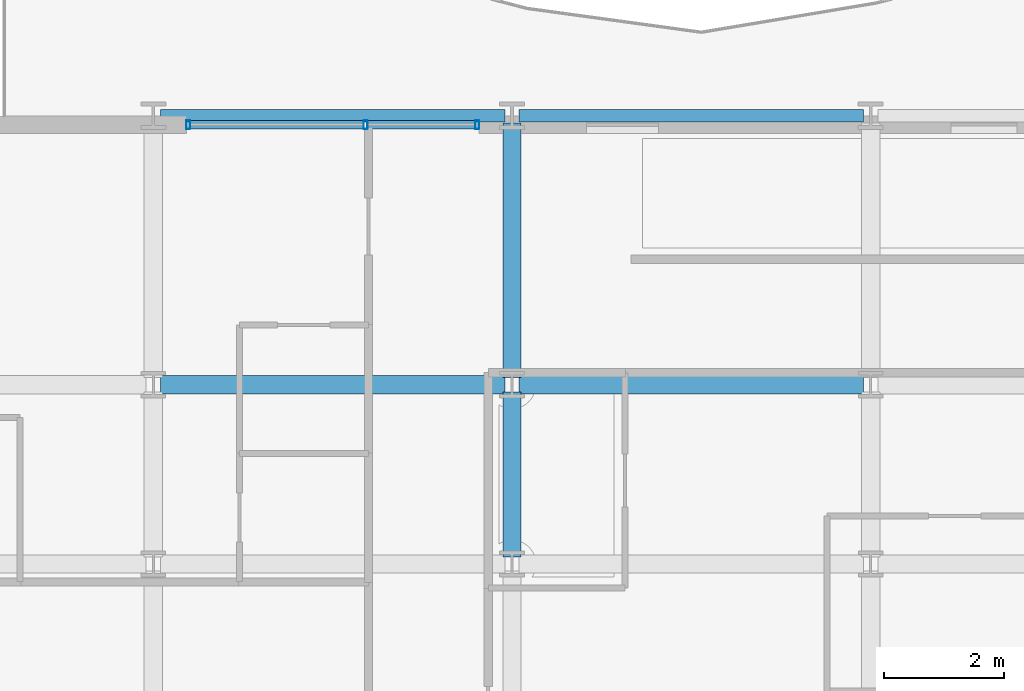
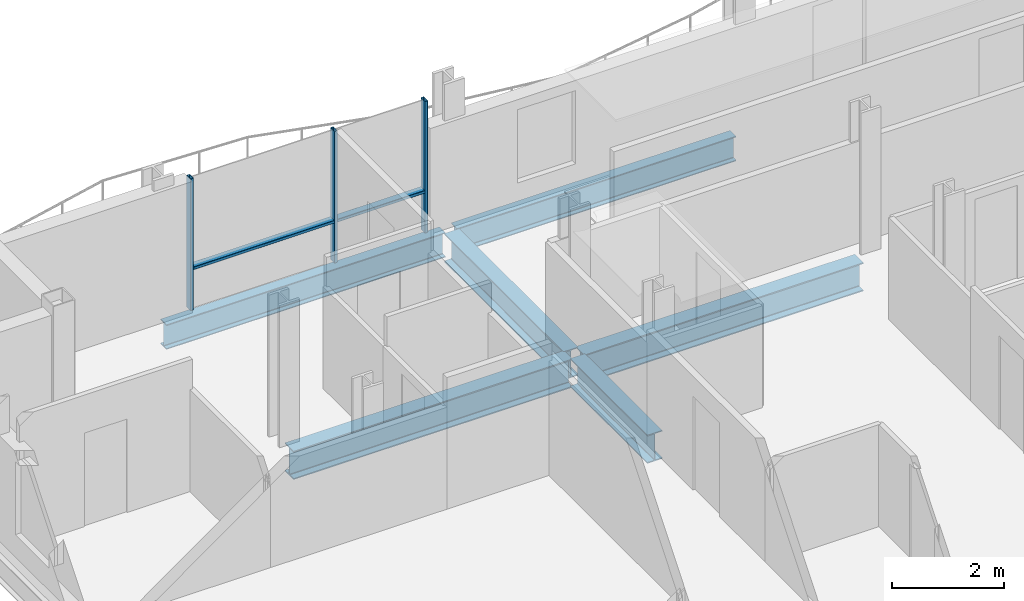
# One storey, part 7 of 38: 6 beams, 5 members, 1 element without a shape of its own.
"""IFC4 building model written with IfcOpenShell, lengths in metres."""

from ifc_helpers import new_model, si_unit, direction, frame, origin, origin_2d, place, context, subcontext, project, spatial, hollow_rectangle, i_section, extrude, material, layer, layer_set, material_profile, profile_set, type_object, element, aggregate, save


model = new_model("IFC4")

# Units and contexts
model_context = context("Model", 3, precision=1e-05, world=origin(), true_north=direction((0.0, 1.0)))
body_context = subcontext(model_context, "Body", "Model", "MODEL_VIEW")
ifc_project = project(units=[si_unit("LENGTHUNIT", "METRE"), si_unit("AREAUNIT", "SQUARE_METRE"), si_unit("VOLUMEUNIT", "CUBIC_METRE"), si_unit("PLANEANGLEUNIT", "RADIAN"), si_unit("MASSUNIT", "GRAM", prefix="KILO")], contexts=[model_context])

# Site, building, storey
site_placement = place(None, origin())
site = spatial("IfcSite", under=ifc_project, at=site_placement, CompositionType="ELEMENT")
building_placement = place(site_placement, origin())
building = spatial("IfcBuilding", under=site, at=building_placement, Name="Brevholm Reach", CompositionType="ELEMENT")
storey_placement = place(building_placement, frame((0.0, 0.0, 71.39990234375)))
storey = spatial("IfcBuildingStorey", under=building, at=storey_placement, Name="L20", CompositionType="ELEMENT", Elevation=71.39990234375)

# Beams
ifc_material_1 = material(Name="Structural Steel S355J2", Category="steel")
ifc_material_profile_1 = material_profile(ifc_material_1, i_section(OverallWidth=0.210693359375, OverallDepth=0.53955078125, WebThickness=0.01171875, FlangeThickness=0.018798828125, FilletRadius=0.0126953125, at=origin_2d()), Name="UKB 533x210x109")
ifc_profile_set_1 = profile_set([ifc_material_profile_1], Name="Structural Steel S355J2")
beam_type_1 = type_object("IfcBeamType", Name="BM-SP539", PredefinedType="SPANDREL", material=ifc_profile_set_1)
for number, where, z_axis, x_axis, name in (
    (1, (6.1201171875, 31.0, -0.499755859375), (1.0, 0.0, 0.0), (0.0, 1.0, 0.0), "L20 SP-01B Framing Beam"),
    (2, (12.1201171875, 31.0, -0.499755859375), (1.0, 0.0, 0.0), (0.0, 1.0, 0.0), "L20 SP-01B Framing Beam"),
):
    element("IfcBeam", number, at=place(storey_placement, frame(where, z_axis=z_axis, x_axis=x_axis)), inside=storey, type_object=beam_type_1, Name=name, PredefinedType="SPANDREL", context=body_context, shape_type="SweptSolid", body=[
        extrude(i_section(OverallWidth=0.210693359375, OverallDepth=0.53955078125, WebThickness=0.01171875, FlangeThickness=0.018798828125, FilletRadius=0.0126953125, at=origin_2d()), origin(), (0.0, 0.0, 1.0), 5.759765625),
    ])
ifc_material_2 = material(Name="Structural Steel S355J2", Category="steel")
ifc_material_profile_2 = material_profile(ifc_material_2, i_section(OverallWidth=0.30712890625, OverallDepth=0.6201171875, WebThickness=0.01416015625, FlangeThickness=0.023681640625, FilletRadius=0.0166015625, at=origin_2d()), Name="UKB 610x305x179")
ifc_profile_set_2 = profile_set([ifc_material_profile_2], Name="Structural Steel S355J2")
beam_type_2 = type_object("IfcBeamType", Name="BM-UKB610H", PredefinedType="USERDEFINED", material=ifc_profile_set_2)
for number, where, z_axis, x_axis, name in (
    (3, (6.1201171875, 26.5, -0.5400390625), (1.0, 0.0, 0.0), (0.0, 1.0, 0.0), "L20 G-06 Framing Beam"),
    (4, (12.1201171875, 26.5, -0.5400390625), (1.0, 0.0, 0.0), (0.0, 1.0, 0.0), "L20 G-06 Framing Beam"),
):
    element("IfcBeam", number, at=place(storey_placement, frame(where, z_axis=z_axis, x_axis=x_axis)), inside=storey, type_object=beam_type_2, Name=name, ObjectType="GIRDER", PredefinedType="USERDEFINED", context=body_context, shape_type="SweptSolid", body=[
        extrude(i_section(OverallWidth=0.30712890625, OverallDepth=0.6201171875, WebThickness=0.01416015625, FlangeThickness=0.023681640625, FilletRadius=0.0166015625, at=origin_2d()), origin(), (0.0, 0.0, 1.0), 5.759765625),
    ])
beam_1_placement = place(storey_placement, frame((12.0, 23.6201171875, -0.5400390625), z_axis=(0.0, 1.0, 0.0), x_axis=(-1.0, 0.0, 0.0)))
element("IfcBeam", 5, at=beam_1_placement, inside=storey, type_object=beam_type_2, Name="L20 G-06 Framing Beam", ObjectType="GIRDER", PredefinedType="USERDEFINED", context=body_context, shape_type="SweptSolid", body=[
    extrude(i_section(OverallWidth=0.30712890625, OverallDepth=0.6201171875, WebThickness=0.01416015625, FlangeThickness=0.023681640625, FilletRadius=0.0166015625, at=origin_2d()), origin(), (0.0, 0.0, 1.0), 2.759765625),
])
beam_2_placement = place(storey_placement, frame((12.0, 26.6201171875, -0.5400390625), z_axis=(0.0, 1.0, 0.0), x_axis=(-1.0, 0.0, 0.0)))
element("IfcBeam", 6, at=beam_2_placement, inside=storey, type_object=beam_type_2, Name="L20 G-06 Framing Beam", ObjectType="GIRDER", PredefinedType="USERDEFINED", context=body_context, shape_type="SweptSolid", body=[
    extrude(i_section(OverallWidth=0.30712890625, OverallDepth=0.6201171875, WebThickness=0.01416015625, FlangeThickness=0.023681640625, FilletRadius=0.0166015625, at=origin_2d()), origin(), (0.0, 0.0, 1.0), 4.259765625),
])

# Curtain wall, members
ifc_material_3 = material(Name="Dark Anodised Aluminium 6063-T6 and Solar-Control Glass", Category="aluminium")
ifc_layer = layer(ifc_material_3, 0.14990234375)
ifc_layer_set = layer_set([ifc_layer], Name="Dark Anodised Aluminium 6063-T6 and Solar-Control Glass")
curtain_wall_type = type_object("IfcCurtainWallType", Name="CW-01", PredefinedType="NOTDEFINED", material=ifc_layer_set)
curtain_wall_placement = place(storey_placement, origin())
curtain_wall = element("IfcCurtainWall", 7, at=curtain_wall_placement, inside=storey, type_object=curtain_wall_type, Name="L20 Curtain Wall CW-01", PredefinedType="NOTDEFINED")
ifc_material_4 = material(Name="Dark Anodised Aluminium 6063-T6", Category="aluminium")
ifc_material_profile_3 = material_profile(ifc_material_4, hollow_rectangle(XDim=0.06494140625, YDim=0.14990234375, WallThickness=0.0048828125, InnerFilletRadius=0.0048828125, OuterFilletRadius=0.010009765625, at=origin_2d()), Name="RHS 150x65x5")
ifc_profile_set_3 = profile_set([ifc_material_profile_3], Name="Dark Anodised Aluminium 6063-T6")
member_type_1 = type_object("IfcMemberType", Name="CWM-150", PredefinedType="MULLION", material=ifc_profile_set_3)
member_1_placement = place(storey_placement, frame((6.58251953125, 30.85009765625, 0.0), z_axis=(0.0, 0.0, 1.0), x_axis=(1.0, 0.0, 0.0)))
member_1 = element("IfcMember", 8, at=member_1_placement, type_object=member_type_1, Name="CM-150 Mullion 1", PredefinedType="MULLION", context=body_context, shape_type="SweptSolid", body=[
    extrude(hollow_rectangle(XDim=0.06494140625, YDim=0.14990234375, WallThickness=0.0048828125, InnerFilletRadius=0.0048828125, OuterFilletRadius=0.010009765625, at=origin_2d()), origin(), (0.0, 0.0, 1.0), 2.8701171875),
])
member_2_placement = place(storey_placement, frame((9.550048828125, 30.85009765625, 0.0), z_axis=(0.0, 0.0, 1.0), x_axis=(1.0, 0.0, 0.0)))
member_2 = element("IfcMember", 9, at=member_2_placement, type_object=member_type_1, Name="CM-150 Mullion 2", PredefinedType="MULLION", context=body_context, shape_type="SweptSolid", body=[
    extrude(hollow_rectangle(XDim=0.06494140625, YDim=0.14990234375, WallThickness=0.0048828125, InnerFilletRadius=0.0048828125, OuterFilletRadius=0.010009765625, at=origin_2d()), origin(), (0.0, 0.0, 1.0), 2.8701171875),
])
member_3_placement = place(storey_placement, frame((11.41748046875, 30.85009765625, 0.0), z_axis=(0.0, 0.0, 1.0), x_axis=(1.0, 0.0, 0.0)))
member_3 = element("IfcMember", 10, at=member_3_placement, type_object=member_type_1, Name="CM-150 Mullion 3", PredefinedType="MULLION", context=body_context, shape_type="SweptSolid", body=[
    extrude(hollow_rectangle(XDim=0.06494140625, YDim=0.14990234375, WallThickness=0.0048828125, InnerFilletRadius=0.0048828125, OuterFilletRadius=0.010009765625, at=origin_2d()), origin(), (0.0, 0.0, 1.0), 2.8701171875),
])
ifc_material_5 = material(Name="Dark Anodised Aluminium 6063-T6", Category="aluminium")
ifc_material_profile_4 = material_profile(ifc_material_5, hollow_rectangle(XDim=0.06494140625, YDim=0.14990234375, WallThickness=0.0048828125, InnerFilletRadius=0.0048828125, OuterFilletRadius=0.010009765625, at=origin_2d()), Name="RHS 150x65x5")
ifc_profile_set_4 = profile_set([ifc_material_profile_4], Name="Dark Anodised Aluminium 6063-T6")
member_type_2 = type_object("IfcMemberType", Name="CWT-150", PredefinedType="NOTDEFINED", material=ifc_profile_set_4)
member_4_placement = place(storey_placement, frame((6.614990234375, 30.85009765625, 0.900146484375), z_axis=(1.0, 0.0, 0.0), x_axis=(0.0, 0.0, 1.0)))
member_4 = element("IfcMember", 11, at=member_4_placement, type_object=member_type_2, Name="CT-150 Transom 1.1", ObjectType="TRANSOM", PredefinedType="USERDEFINED", context=body_context, shape_type="SweptSolid", body=[
    extrude(hollow_rectangle(XDim=0.06494140625, YDim=0.14990234375, WallThickness=0.0048828125, InnerFilletRadius=0.0048828125, OuterFilletRadius=0.010009765625, at=origin_2d()), origin(), (0.0, 0.0, 1.0), 2.902587890625),
])
member_5_placement = place(storey_placement, frame((9.58251953125, 30.85009765625, 0.900146484375), z_axis=(1.0, 0.0, 0.0), x_axis=(0.0, 0.0, 1.0)))
member_5 = element("IfcMember", 12, at=member_5_placement, type_object=member_type_2, Name="CT-150 Transom 2.1", ObjectType="TRANSOM", PredefinedType="USERDEFINED", context=body_context, shape_type="SweptSolid", body=[
    extrude(hollow_rectangle(XDim=0.06494140625, YDim=0.14990234375, WallThickness=0.0048828125, InnerFilletRadius=0.0048828125, OuterFilletRadius=0.010009765625, at=origin_2d()), origin(), (0.0, 0.0, 1.0), 1.802490234375),
])
aggregate(curtain_wall, [member_1, member_2, member_3, member_4, member_5])

save(model, "model.ifc")
